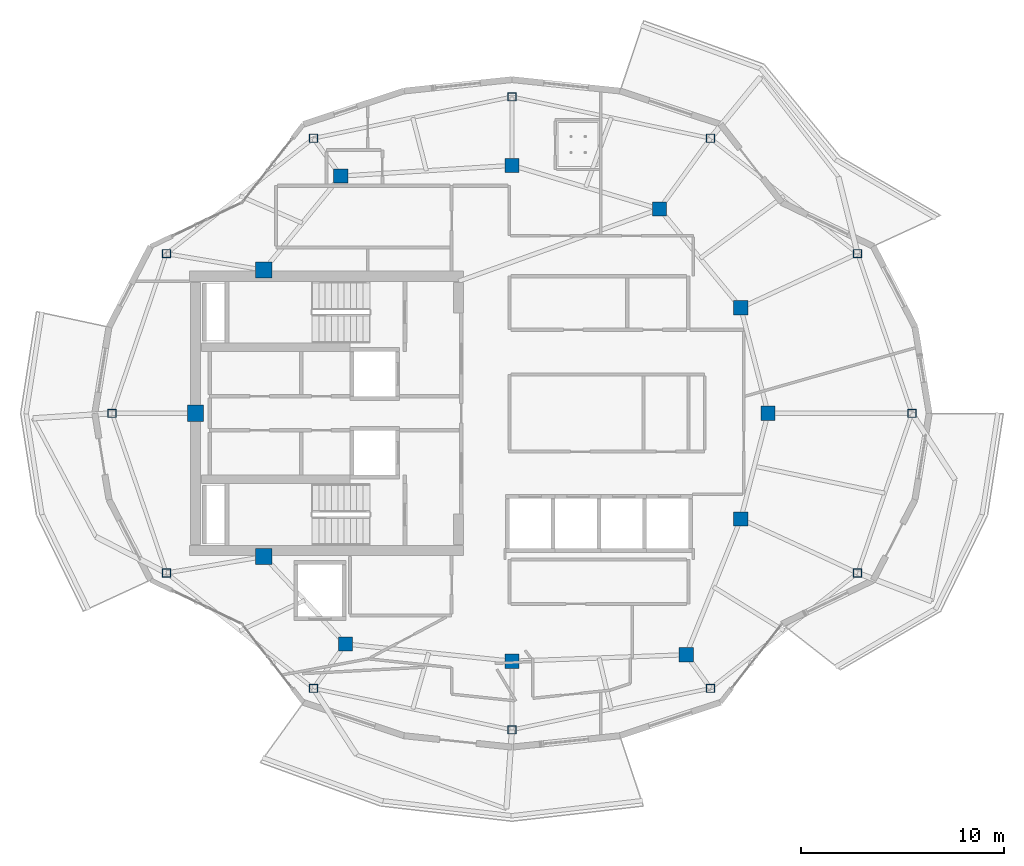
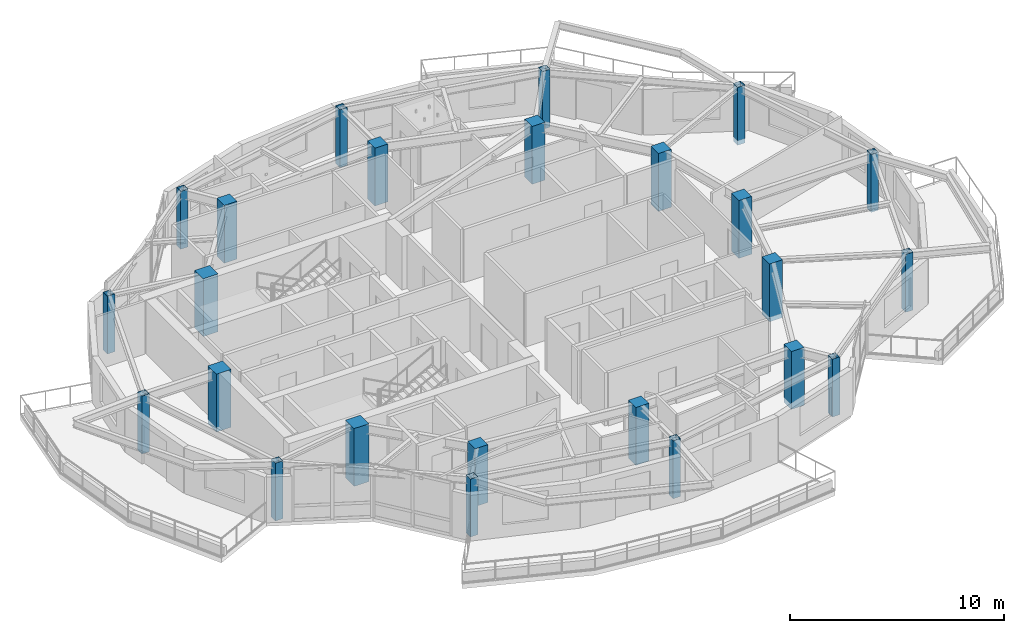
# One storey, part 1 of 15: 24 columns.
"""IFC4 building model written with IfcOpenShell, lengths in metres."""

from ifc_helpers import new_model, si_unit, direction, frame, origin, origin_2d, place, context, subcontext, project, spatial, rectangle, hollow_rectangle, extrude, material, material_profile, profile_set, type_object, element, save


model = new_model("IFC4")

# Units and contexts
model_context = context("Model", 3, precision=1e-05, world=origin(), true_north=direction((0.0, 1.0)))
body_context = subcontext(model_context, "Body", "Model", "MODEL_VIEW")
ifc_project = project(units=[si_unit("LENGTHUNIT", "METRE"), si_unit("AREAUNIT", "SQUARE_METRE"), si_unit("VOLUMEUNIT", "CUBIC_METRE"), si_unit("PLANEANGLEUNIT", "RADIAN"), si_unit("MASSUNIT", "GRAM", prefix="KILO")], contexts=[model_context])

# Site, building, storey
site_placement = place(None, origin())
site = spatial("IfcSite", under=ifc_project, at=site_placement, CompositionType="ELEMENT")
building_placement = place(site_placement, origin())
building = spatial("IfcBuilding", under=site, at=building_placement, Name="Kolvaren Gate Tower and Convention Centre", CompositionType="ELEMENT")
storey_placement = place(building_placement, frame((0.0, 0.0, 265.699951171875)))
storey = spatial("IfcBuildingStorey", under=building, at=storey_placement, Name="L72", CompositionType="ELEMENT", Elevation=265.699951171875)

# Columns
ifc_material_1 = material(Name="Structural steel ASTM A500 Grade C 345 MPa", Category="steel")
ifc_material_profile_1 = material_profile(ifc_material_1, hollow_rectangle(XDim=0.406005859375, YDim=0.406005859375, WallThickness=0.015869140625, at=origin_2d()), Name="HSS406X406X15.9")
ifc_profile_set_1 = profile_set([ifc_material_profile_1], Name="Structural steel ASTM A500 Grade C 345 MPa")
column_type_1 = type_object("IfcColumnType", Name="STR-COL-HSS406", PredefinedType="COLUMN", material=ifc_profile_set_1)
for number, where, z_axis, x_axis, name in (
    (1, (49.80615234375, 27.0, -0.27001953125), (0.0, 0.0, 1.0), (1.0, 0.0, 0.0), "Tower L72 Perimeter Supercolumn TP-01"),
    (2, (47.1337890625, 34.856201171875, -0.27001953125), (0.0, 0.0, 1.0), (1.0, 0.0, 0.0), "Tower L72 Perimeter Supercolumn TP-02"),
    (3, (39.893310546875, 40.53515625, -0.27001953125), (0.0, 0.0, 1.0), (1.0, 0.0, 0.0), "Tower L72 Perimeter Supercolumn TP-03"),
    (4, (30.125, 42.574951171875, -0.27001953125), (0.0, 0.0, 1.0), (1.0, 0.0, 0.0), "Tower L72 Perimeter Supercolumn TP-04"),
    (5, (20.356689453125, 40.53515625, -0.27001953125), (0.0, 0.0, 1.0), (1.0, 0.0, 0.0), "Tower L72 Perimeter Supercolumn TP-05"),
    (6, (13.1162109375, 34.856201171875, -0.27001953125), (0.0, 0.0, 1.0), (1.0, 0.0, 0.0), "Tower L72 Perimeter Supercolumn TP-06"),
    (7, (10.44384765625, 27.0, -0.27001953125), (0.0, 0.0, 1.0), (1.0, 0.0, 0.0), "Tower L72 Perimeter Supercolumn TP-07"),
    (8, (13.1162109375, 19.143798828125, -0.27001953125), (0.0, 0.0, 1.0), (1.0, 0.0, 0.0), "Tower L72 Perimeter Supercolumn TP-08"),
    (9, (20.356689453125, 13.46484375, -0.27001953125), (0.0, 0.0, 1.0), (1.0, 0.0, 0.0), "Tower L72 Perimeter Supercolumn TP-09"),
    (10, (30.125, 11.425048828125, -0.27001953125), (0.0, 0.0, 1.0), (1.0, 0.0, 0.0), "Tower L72 Perimeter Supercolumn TP-10"),
    (11, (39.893310546875, 13.46484375, -0.27001953125), (0.0, 0.0, 1.0), (1.0, 0.0, 0.0), "Tower L72 Perimeter Supercolumn TP-11"),
    (12, (47.1337890625, 19.143798828125, -0.27001953125), (0.0, 0.0, 1.0), (1.0, 0.0, 0.0), "Tower L72 Perimeter Supercolumn TP-12"),
):
    element("IfcColumn", number, at=place(storey_placement, frame(where, z_axis=z_axis, x_axis=x_axis)), inside=storey, type_object=column_type_1, Name=name, PredefinedType="COLUMN", context=body_context, shape_type="SweptSolid", body=[
        extrude(hollow_rectangle(XDim=0.406005859375, YDim=0.406005859375, WallThickness=0.015869140625, at=origin_2d()), origin(), (0.0, 0.0, 1.0), 3.300048828125),
    ])
ifc_material_2 = material(Name="Concrete C50/60", Category="concrete")
ifc_material_profile_2 = material_profile(ifc_material_2, rectangle(XDim=0.699951171875, YDim=0.699951171875, at=origin_2d()), Name="RC-COL-700X700")
ifc_profile_set_2 = profile_set([ifc_material_profile_2], Name="Concrete C50/60")
column_type_2 = type_object("IfcColumnType", Name="STR-COL-RC700", PredefinedType="COLUMN", material=ifc_profile_set_2)
for number, where, z_axis, x_axis, name in (
    (13, (42.72509765625, 27.0, -0.27001953125), (0.0, 0.0, 1.0), (1.0, 0.0, 0.0), "Tower L72 Interior Column TI-01"),
    (14, (41.382080078125, 32.199462890625, -0.27001953125), (0.0, 0.0, 1.0), (1.0, 0.0, 0.0), "Tower L72 Interior Column TI-02"),
    (15, (37.381591796875, 37.054931640625, -0.27001953125), (0.0, 0.0, 1.0), (1.0, 0.0, 0.0), "Tower L72 Interior Column TI-03"),
    (16, (30.125, 39.199951171875, -0.27001953125), (0.0, 0.0, 1.0), (1.0, 0.0, 0.0), "Tower L72 Interior Column TI-04"),
    (17, (21.697998046875, 38.6767578125, -0.27001953125), (0.0, 0.0, 1.0), (1.0, 0.0, 0.0), "Tower L72 Interior Column TI-05"),
    (18, (21.93212890625, 15.647705078125, -0.27001953125), (0.0, 0.0, 1.0), (1.0, 0.0, 0.0), "Tower L72 Interior Column TI-06"),
    (19, (30.125, 14.800048828125, -0.27001953125), (0.0, 0.0, 1.0), (1.0, 0.0, 0.0), "Tower L72 Interior Column TI-07"),
    (20, (38.6982421875, 15.12060546875, -0.27001953125), (0.0, 0.0, 1.0), (1.0, 0.0, 0.0), "Tower L72 Interior Column TI-08"),
    (21, (41.382080078125, 21.800537109375, -0.27001953125), (0.0, 0.0, 1.0), (1.0, 0.0, 0.0), "Tower L72 Interior Column TI-09"),
):
    element("IfcColumn", number, at=place(storey_placement, frame(where, z_axis=z_axis, x_axis=x_axis)), inside=storey, type_object=column_type_2, Name=name, PredefinedType="COLUMN", context=body_context, shape_type="SweptSolid", body=[
        extrude(rectangle(XDim=0.699951171875, YDim=0.699951171875, at=origin_2d()), origin(), (0.0, 0.0, 1.0), 3.300048828125),
    ])
ifc_material_3 = material(Name="Concrete C60/75", Category="concrete")
ifc_material_profile_3 = material_profile(ifc_material_3, rectangle(XDim=0.800048828125, YDim=0.800048828125, at=origin_2d()), Name="RC-COL-800X800")
ifc_profile_set_3 = profile_set([ifc_material_profile_3], Name="Concrete C60/75")
column_type_3 = type_object("IfcColumnType", Name="STR-PIL-RC800", PredefinedType="PILASTER", material=ifc_profile_set_3)
for number, where, z_axis, x_axis, name in (
    (22, (17.9140625, 34.050048828125, -0.27001953125), (0.0, 0.0, 1.0), (1.0, 0.0, 0.0), "Tower L72 Core Boundary Pilaster TC-05"),
    (23, (14.550048828125, 27.0, -0.27001953125), (0.0, 0.0, 1.0), (1.0, 0.0, 0.0), "Tower L72 Core Boundary Pilaster TC-06"),
    (24, (17.9140625, 19.949951171875, -0.27001953125), (0.0, 0.0, 1.0), (1.0, 0.0, 0.0), "Tower L72 Core Boundary Pilaster TC-07"),
):
    element("IfcColumn", number, at=place(storey_placement, frame(where, z_axis=z_axis, x_axis=x_axis)), inside=storey, type_object=column_type_3, Name=name, PredefinedType="PILASTER", context=body_context, shape_type="SweptSolid", body=[
        extrude(rectangle(XDim=0.800048828125, YDim=0.800048828125, at=origin_2d()), origin(), (0.0, 0.0, 1.0), 3.300048828125),
    ])

save(model, "model.ifc")
